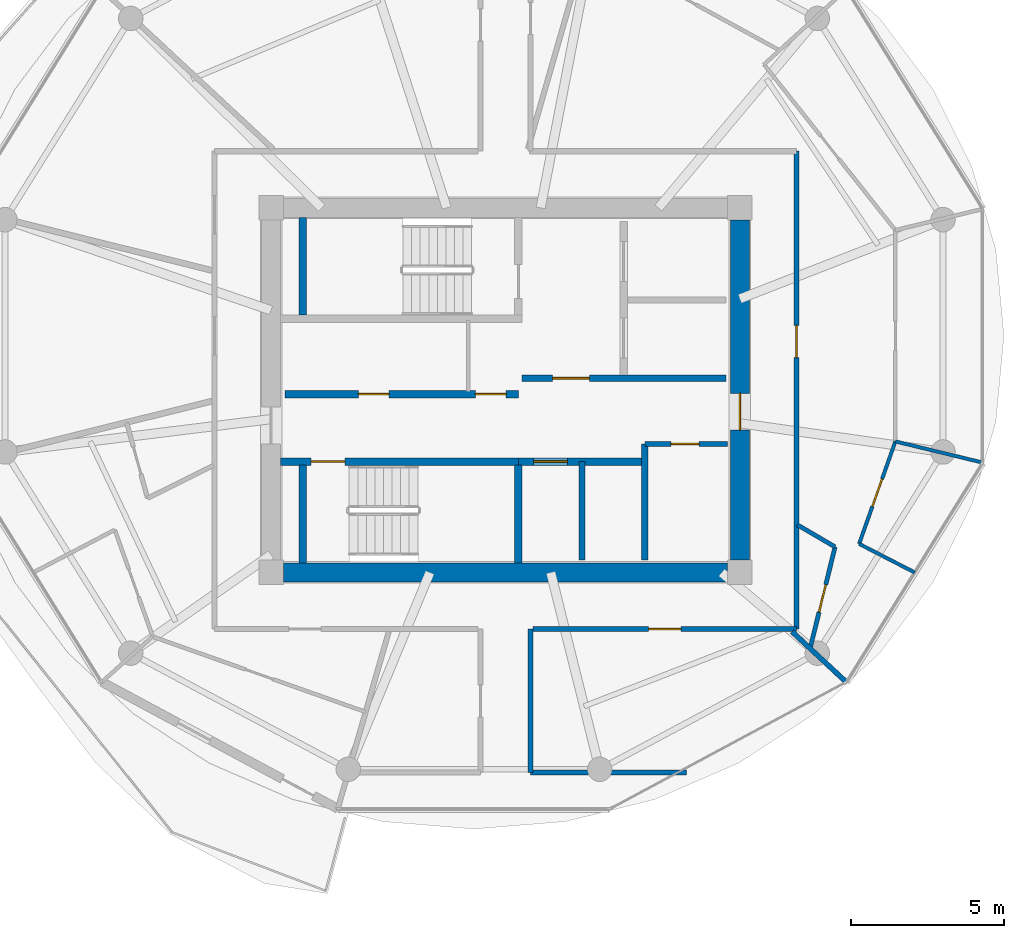
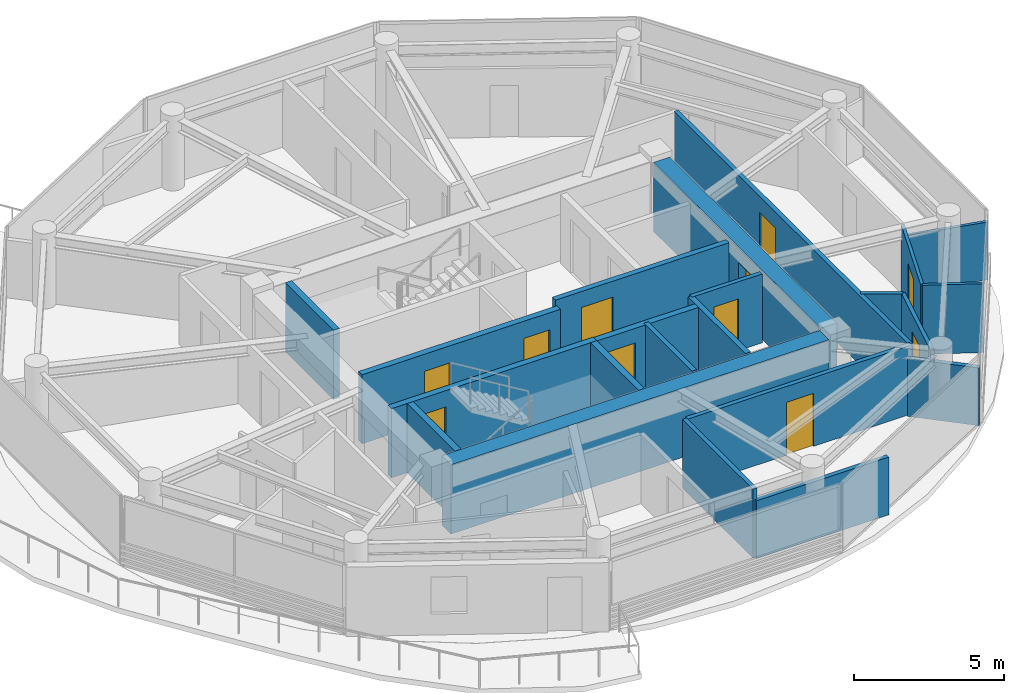
# One storey, part 16 of 22: 22 walls, 11 doors, 11 openings.
"""IFC4 building model written with IfcOpenShell, lengths in metres."""

from ifc_helpers import new_model, si_unit, direction, frame, frame_2d, origin, place, context, subcontext, project, spatial, rectangle, extrude, source, transform, mapped, material, layer, layer_set, type_object, type_shapes, element, fill, save


model = new_model("IFC4")

# Units and contexts
model_context = context("Model", 3, precision=1e-05, world=origin(), true_north=direction((0.0, 1.0)))
body_context = subcontext(model_context, "Body", "Model", "MODEL_VIEW")
ifc_project = project(units=[si_unit("LENGTHUNIT", "METRE"), si_unit("AREAUNIT", "SQUARE_METRE"), si_unit("VOLUMEUNIT", "CUBIC_METRE"), si_unit("PLANEANGLEUNIT", "RADIAN"), si_unit("MASSUNIT", "GRAM", prefix="KILO")], contexts=[model_context])

# Site, building, storey
site_placement = place(None, origin())
site = spatial("IfcSite", under=ifc_project, at=site_placement, CompositionType="ELEMENT")
building_placement = place(site_placement, origin())
building = spatial("IfcBuilding", under=site, at=building_placement, Name="Norrkilde Senior Care Towers", CompositionType="ELEMENT")
storey_placement = place(building_placement, frame((0.0, 0.0, 137.35009765625)))
storey = spatial("IfcBuildingStorey", under=building, at=storey_placement, Name="L42", CompositionType="ELEMENT", Elevation=137.35009765625)

# Wall
ifc_material_1 = material(Name="Concrete C50/60", Category="concrete")
ifc_layer_1 = layer(ifc_material_1, 0.6201171875)
ifc_layer_set_1 = layer_set([ifc_layer_1], Name="Concrete C50/60")
wall_type_1 = type_object("IfcWallType", Name="Core Shear Wall Z3 620", PredefinedType="SHEAR", material=ifc_layer_set_1)
shared_shape_1 = source(origin(), body_context, "Body", "SweptSolid", [
    extrude(rectangle(XDim=14.5, YDim=0.6201171875, at=frame_2d((7.25, 0.0))), origin(), (0.0, 0.0, 1.0), 2.809814453125),
])
wall_1_placement = place(storey_placement, frame((35.25, -5.949951171875, 0.0), z_axis=(0.0, 0.0, 1.0), x_axis=(-1.0, 0.0, 0.0)))
element("IfcWall", 1, at=wall_1_placement, inside=storey, type_object=wall_type_1, Name="L42 Core E South Shear Wall", PredefinedType="SHEAR", context=body_context, shape_type="MappedRepresentation", body=[
    mapped(shared_shape_1, transform((0.0, 0.0, 0.0), x_axis=(1.0, 0.0, 0.0), y_axis=(0.0, 1.0, 0.0), z_axis=(0.0, 0.0, 1.0), scale=1.0)),
])

# Wall, opening, door
shared_shape_2 = source(origin(), body_context, "Body", "SweptSolid", [
    extrude(rectangle(XDim=11.10009765625, YDim=0.6201171875, at=frame_2d((5.550048828125, 0.0))), origin(), (0.0, 0.0, 1.0), 2.809814453125),
])
type_shapes(wall_type_1, [shared_shape_1, shared_shape_2])
wall_2_placement = place(storey_placement, frame((35.64990234375, 5.550048828125, 0.0), z_axis=(0.0, 0.0, 1.0), x_axis=(0.0, -1.0, 0.0)))
wall_2 = element("IfcWall", 2, at=wall_2_placement, inside=storey, type_object=wall_type_1, Name="L42 Core E East Shear Wall", PredefinedType="SHEAR", context=body_context, shape_type="MappedRepresentation", body=[
    mapped(shared_shape_2, transform((0.0, 0.0, 0.0), x_axis=(1.0, 0.0, 0.0), y_axis=(0.0, 1.0, 0.0), z_axis=(0.0, 0.0, 1.0), scale=1.0)),
])
opening_1_placement = place(wall_2_placement, frame((5.64990234375, 0.0, 0.0)))
opening_1 = element("IfcOpeningElement", 3, at=opening_1_placement, cuts=wall_2, Name="Opening D-04", PredefinedType="OPENING", context=body_context, shape_type="SweptSolid", body=[
    extrude(rectangle(XDim=1.199951171875, YDim=2.14990234375, at=frame_2d((0.60009765625, 1.074951171875))), frame((0.0, 0.320068359375, 0.0), z_axis=(0.0, -1.0, 0.0), x_axis=(1.0, 0.0, 0.0)), (0.0, 0.0, 1.0), 0.64013671875),
])
ifc_material_2 = material(Name="Galvanised Painted Steel", Category="steel")
door_type_1 = type_object("IfcDoorType", Name="Firefighting Lobby Fire Door 1200x2150", OperationType="NOTDEFINED", PredefinedType="DOOR", material=ifc_material_2)
shared_shape_3 = source(origin(), body_context, "Body", "SweptSolid", [
    extrude(rectangle(XDim=1.199951171875, YDim=2.14990234375, at=frame_2d((0.60009765625, 1.074951171875))), frame((0.0, 0.02490234375, 0.0), z_axis=(0.0, -1.0, 0.0), x_axis=(1.0, 0.0, 0.0)), (0.0, 0.0, 1.0), 0.050048828125),
])
type_shapes(door_type_1, [shared_shape_3])
door_1_placement = place(opening_1_placement, frame((1.199951171875, 0.0, 0.0), z_axis=(0.0, 0.0, 1.0), x_axis=(-1.0, 0.0, 0.0)))
door_1 = element("IfcDoor", 4, at=door_1_placement, inside=storey, type_object=door_type_1, Name="L42 Core E East Portal Door", OperationType="SINGLE_SWING_RIGHT", OverallHeight=2.14990234375, OverallWidth=1.199951171875, PredefinedType="DOOR", context=body_context, shape_type="MappedRepresentation", body=[
    mapped(shared_shape_3, transform((0.0, 0.0, 0.0), x_axis=(1.0, 0.0, 0.0), y_axis=(0.0, 1.0, 0.0), z_axis=(0.0, 0.0, 1.0), scale=1.0)),
])
fill(opening_1, door_1)

ifc_material_3 = material(Name="Concrete C45/55", Category="concrete")
ifc_layer_2 = layer(ifc_material_3, 0.2099609375)
ifc_layer_set_2 = layer_set([ifc_layer_2], Name="Concrete C45/55")
wall_type_2 = type_object("IfcWallType", Name="Firefighting Lobby Wall 210", PredefinedType="PARTITIONING", material=ifc_layer_set_2)
shared_shape_4 = source(origin(), body_context, "Body", "SweptSolid", [
    extrude(rectangle(XDim=6.659912109375, YDim=0.2099609375, at=frame_2d((3.330078125, 0.0))), origin(), (0.0, 0.0, 1.0), 2.794921875),
])
type_shapes(wall_type_2, [shared_shape_4])
wall_3_placement = place(storey_placement, frame((28.5400390625, 0.389892578125, 0.0), z_axis=(0.0, 0.0, 1.0), x_axis=(1.0, 0.0, 0.0)))
wall_3 = element("IfcWall", 5, at=wall_3_placement, inside=storey, type_object=wall_type_2, Name="WL-INT-L42-E-FFLS", PredefinedType="PARTITIONING", context=body_context, shape_type="MappedRepresentation", body=[
    mapped(shared_shape_4, transform((0.0, 0.0, 0.0), x_axis=(1.0, 0.0, 0.0), y_axis=(0.0, 1.0, 0.0), z_axis=(0.0, 0.0, 1.0), scale=1.0)),
])
opening_2_placement = place(wall_3_placement, frame((1.0, 0.0, 0.0)))
opening_2 = element("IfcOpeningElement", 6, at=opening_2_placement, cuts=wall_3, Name="Opening D-04", PredefinedType="OPENING", context=body_context, shape_type="SweptSolid", body=[
    extrude(rectangle(XDim=1.199951171875, YDim=2.14990234375, at=frame_2d((0.60009765625, 1.074951171875))), frame((0.0, 0.114990234375, 0.0), z_axis=(0.0, -1.0, 0.0), x_axis=(1.0, 0.0, 0.0)), (0.0, 0.0, 1.0), 0.22998046875),
])
door_2_placement = place(opening_2_placement, frame((1.199951171875, 0.0, 0.0), z_axis=(0.0, 0.0, 1.0), x_axis=(-1.0, 0.0, 0.0)))
door_2 = element("IfcDoor", 7, at=door_2_placement, inside=storey, type_object=door_type_1, Name="L42 Firefighting Lobby E Door", OperationType="SINGLE_SWING_LEFT", OverallHeight=2.14990234375, OverallWidth=1.199951171875, PredefinedType="DOOR", context=body_context, shape_type="MappedRepresentation", body=[
    mapped(shared_shape_3, transform((0.0, 0.0, 0.0), x_axis=(1.0, 0.0, 0.0), y_axis=(0.0, 1.0, 0.0), z_axis=(0.0, 0.0, 1.0), scale=1.0)),
])
fill(opening_2, door_2)

# Wall, openings, doors
ifc_layer_3 = layer(ifc_material_3, 0.239990234375)
ifc_layer_set_3 = layer_set([ifc_layer_3], Name="Concrete C45/55")
wall_type_3 = type_object("IfcWallType", Name="Lift and Plant Rated Enclosure Partition 240", PredefinedType="PARTITIONING", material=ifc_layer_set_3)
shared_shape_5 = source(origin(), body_context, "Body", "SweptSolid", [
    extrude(rectangle(XDim=7.619873046875, YDim=0.239990234375, at=frame_2d((3.81005859375, 0.0))), origin(), (0.0, 0.0, 1.0), 2.794921875),
])
wall_4_placement = place(storey_placement, frame((20.800048828125, -0.1298828125, 0.0), z_axis=(0.0, 0.0, 1.0), x_axis=(1.0, 0.0, 0.0)))
wall_4 = element("IfcWall", 8, at=wall_4_placement, inside=storey, type_object=wall_type_3, Name="WL-INT-L42-E-PKAS", PredefinedType="PARTITIONING", context=body_context, shape_type="MappedRepresentation", body=[
    mapped(shared_shape_5, transform((0.0, 0.0, 0.0), x_axis=(1.0, 0.0, 0.0), y_axis=(0.0, 1.0, 0.0), z_axis=(0.0, 0.0, 1.0), scale=1.0)),
])
opening_3_placement = place(wall_4_placement, frame((6.219970703125, 0.0, 0.0)))
opening_3 = element("IfcOpeningElement", 9, at=opening_3_placement, cuts=wall_4, Name="Opening D-10", PredefinedType="OPENING", context=body_context, shape_type="SweptSolid", body=[
    extrude(rectangle(XDim=1.0, YDim=2.10009765625, at=frame_2d((0.5, 1.050048828125))), frame((0.0, 0.1298828125, 0.0), z_axis=(0.0, -1.0, 0.0), x_axis=(1.0, 0.0, 0.0)), (0.0, 0.0, 1.0), 0.260009765625),
])
opening_4_placement = place(wall_4_placement, frame((2.39990234375, 0.0, 0.0)))
opening_4 = element("IfcOpeningElement", 10, at=opening_4_placement, cuts=wall_4, Name="Opening D-10", PredefinedType="OPENING", context=body_context, shape_type="SweptSolid", body=[
    extrude(rectangle(XDim=1.0, YDim=2.10009765625, at=frame_2d((0.5, 1.050048828125))), frame((0.0, 0.1298828125, 0.0), z_axis=(0.0, -1.0, 0.0), x_axis=(1.0, 0.0, 0.0)), (0.0, 0.0, 1.0), 0.260009765625),
])
door_type_2 = type_object("IfcDoorType", Name="Plant and Riser Rated Door 1000x2100", OperationType="NOTDEFINED", PredefinedType="DOOR", material=ifc_material_2)
shared_shape_6 = source(origin(), body_context, "Body", "SweptSolid", [
    extrude(rectangle(XDim=1.0, YDim=2.10009765625, at=frame_2d((0.5, 1.050048828125))), frame((0.0, 0.02490234375, 0.0), z_axis=(0.0, -1.0, 0.0), x_axis=(1.0, 0.0, 0.0)), (0.0, 0.0, 1.0), 0.050048828125),
])
type_shapes(door_type_2, [shared_shape_6])
door_3_placement = place(opening_3_placement, frame((1.0, 0.0, 0.0), z_axis=(0.0, 0.0, 1.0), x_axis=(-1.0, 0.0, 0.0)))
door_3 = element("IfcDoor", 11, at=door_3_placement, inside=storey, type_object=door_type_2, Name="L42 Electrical Riser E Door", OperationType="SINGLE_SWING_LEFT", OverallHeight=2.10009765625, OverallWidth=1.0, PredefinedType="DOOR", context=body_context, shape_type="MappedRepresentation", body=[
    mapped(shared_shape_6, transform((0.0, 0.0, 0.0), x_axis=(1.0, 0.0, 0.0), y_axis=(0.0, 1.0, 0.0), z_axis=(0.0, 0.0, 1.0), scale=1.0)),
])
fill(opening_3, door_3)
door_4_placement = place(opening_4_placement, frame((1.0, 0.0, 0.0), z_axis=(0.0, 0.0, 1.0), x_axis=(-1.0, 0.0, 0.0)))
door_4 = element("IfcDoor", 12, at=door_4_placement, inside=storey, type_object=door_type_2, Name="L42 Clean Supply Store E Door", OperationType="SINGLE_SWING_LEFT", OverallHeight=2.10009765625, OverallWidth=1.0, PredefinedType="DOOR", context=body_context, shape_type="MappedRepresentation", body=[
    mapped(shared_shape_6, transform((0.0, 0.0, 0.0), x_axis=(1.0, 0.0, 0.0), y_axis=(0.0, 1.0, 0.0), z_axis=(0.0, 0.0, 1.0), scale=1.0)),
])
fill(opening_4, door_4)

# Wall
ifc_layer_4 = layer(ifc_material_3, 0.199951171875)
ifc_layer_set_4 = layer_set([ifc_layer_4], Name="Concrete C45/55")
wall_type_4 = type_object("IfcWallType", Name="Shaft Division and Plant Partition 200", PredefinedType="PARTITIONING", material=ifc_layer_set_4)
shared_shape_7 = source(origin(), body_context, "Body", "SweptSolid", [
    extrude(rectangle(XDim=3.800048828125, YDim=0.199951171875, at=frame_2d((1.89990234375, 0.0))), origin(), (0.0, 0.0, 1.0), 2.794921875),
])
type_shapes(wall_type_4, [shared_shape_7])
wall_5_placement = place(storey_placement, frame((32.550048828125, -5.550048828125, 0.0), z_axis=(0.0, 0.0, 1.0), x_axis=(0.0, 1.0, 0.0)))
element("IfcWall", 13, at=wall_5_placement, inside=storey, type_object=wall_type_4, Name="WL-INT-L42-E-PKBE", PredefinedType="PARTITIONING", context=body_context, shape_type="MappedRepresentation", body=[
    mapped(shared_shape_7, transform((0.0, 0.0, 0.0), x_axis=(1.0, 0.0, 0.0), y_axis=(0.0, 1.0, 0.0), z_axis=(0.0, 0.0, 1.0), scale=1.0)),
])

# Wall, opening, door
shared_shape_8 = source(origin(), body_context, "Body", "SweptSolid", [
    extrude(rectangle(XDim=4.130126953125, YDim=0.239990234375, at=frame_2d((2.06494140625, 0.0))), origin(), (0.0, 0.0, 1.0), 2.794921875),
])
type_shapes(wall_type_3, [shared_shape_5, shared_shape_8])
wall_6_placement = place(storey_placement, frame((28.419921875, -2.330078125, 0.0), z_axis=(0.0, 0.0, 1.0), x_axis=(1.0, 0.0, 0.0)))
wall_6 = element("IfcWall", 14, at=wall_6_placement, inside=storey, type_object=wall_type_3, Name="WL-INT-L42-E-PKBN", PredefinedType="PARTITIONING", context=body_context, shape_type="MappedRepresentation", body=[
    mapped(shared_shape_8, transform((0.0, 0.0, 0.0), x_axis=(1.0, 0.0, 0.0), y_axis=(0.0, 1.0, 0.0), z_axis=(0.0, 0.0, 1.0), scale=1.0)),
])
opening_5_placement = place(wall_6_placement, frame((0.5, 0.0, 0.0)))
opening_5 = element("IfcOpeningElement", 15, at=opening_5_placement, cuts=wall_6, Name="Opening LD-01", PredefinedType="OPENING", context=body_context, shape_type="SweptSolid", body=[
    extrude(rectangle(XDim=1.10009765625, YDim=2.199951171875, at=frame_2d((0.550048828125, 1.10009765625))), frame((0.0, 0.1298828125, 0.0), z_axis=(0.0, -1.0, 0.0), x_axis=(1.0, 0.0, 0.0)), (0.0, 0.0, 1.0), 0.260009765625),
])
ifc_material_4 = material(Name="Stainless Steel", Category="steel")
door_type_3 = type_object("IfcDoorType", Name="Lift Landing Sliding Door 1100x2200", OperationType="NOTDEFINED", PredefinedType="DOOR", material=ifc_material_4)
shared_shape_9 = source(origin(), body_context, "Body", "SweptSolid", [
    extrude(rectangle(XDim=1.10009765625, YDim=2.199951171875, at=frame_2d((0.550048828125, 1.10009765625))), frame((0.0, 0.02490234375, 0.0), z_axis=(0.0, -1.0, 0.0), x_axis=(1.0, 0.0, 0.0)), (0.0, 0.0, 1.0), 0.050048828125),
])
type_shapes(door_type_3, [shared_shape_9])
door_5_placement = place(opening_5_placement, frame((1.10009765625, 0.0, 0.0), z_axis=(0.0, 0.0, 1.0), x_axis=(-1.0, 0.0, 0.0)))
door_5 = element("IfcDoor", 16, at=door_5_placement, inside=storey, type_object=door_type_3, Name="L42 Passenger Lift E3 Landing Door", OperationType="SLIDING_TO_LEFT", OverallHeight=2.199951171875, OverallWidth=1.10009765625, PredefinedType="DOOR", context=body_context, shape_type="MappedRepresentation", body=[
    mapped(shared_shape_9, transform((0.0, 0.0, 0.0), x_axis=(1.0, 0.0, 0.0), y_axis=(0.0, 1.0, 0.0), z_axis=(0.0, 0.0, 1.0), scale=1.0)),
])
fill(opening_5, door_5)

# Wall
ifc_layer_5 = layer(ifc_material_3, 0.179931640625)
ifc_layer_set_5 = layer_set([ifc_layer_5], Name="Concrete C45/55")
wall_type_5 = type_object("IfcWallType", Name="Hoistway Division Rated Partition 180", PredefinedType="PARTITIONING", material=ifc_layer_set_5)
shared_shape_10 = source(origin(), body_context, "Body", "SweptSolid", [
    extrude(rectangle(XDim=3.219970703125, YDim=0.179931640625, at=frame_2d((1.60986328125, 0.0))), origin(), (0.0, 0.0, 1.0), 2.794921875),
])
type_shapes(wall_type_5, [shared_shape_10])
wall_7_placement = place(storey_placement, frame((30.5, -5.550048828125, 0.0), z_axis=(0.0, 0.0, 1.0), x_axis=(0.0, 1.0, 0.0)))
element("IfcWall", 17, at=wall_7_placement, inside=storey, type_object=wall_type_5, Name="WL-INT-L42-E-PL34", PredefinedType="PARTITIONING", context=body_context, shape_type="MappedRepresentation", body=[
    mapped(shared_shape_10, transform((0.0, 0.0, 0.0), x_axis=(1.0, 0.0, 0.0), y_axis=(0.0, 1.0, 0.0), z_axis=(0.0, 0.0, 1.0), scale=1.0)),
])

# Wall, opening, door
ifc_material_5 = material(Name="Gypsum Acoustic Board")
ifc_layer_6 = layer(ifc_material_5, 0.1650390625)
ifc_layer_set_6 = layer_set([ifc_layer_6], Name="Gypsum Acoustic Board")
wall_type_6 = type_object("IfcWallType", Name="Corridor Rated Partition 165", PredefinedType="PARTITIONING", material=ifc_layer_set_6)
shared_shape_11 = source(origin(), body_context, "Body", "SweptSolid", [
    extrude(rectangle(XDim=2.699951171875, YDim=0.1650390625, at=frame_2d((1.35009765625, 0.0))), origin(), (0.0, 0.0, 1.0), 2.794921875),
])
wall_8_placement = place(storey_placement, frame((32.550048828125, -1.75, 0.0), z_axis=(0.0, 0.0, 1.0), x_axis=(1.0, 0.0, 0.0)))
wall_8 = element("IfcWall", 18, at=wall_8_placement, inside=storey, type_object=wall_type_6, Name="WL-INT-L42-E-CSN", PredefinedType="PARTITIONING", context=body_context, shape_type="MappedRepresentation", body=[
    mapped(shared_shape_11, transform((0.0, 0.0, 0.0), x_axis=(1.0, 0.0, 0.0), y_axis=(0.0, 1.0, 0.0), z_axis=(0.0, 0.0, 1.0), scale=1.0)),
])
opening_6_placement = place(wall_8_placement, frame((0.85009765625, 0.0, 0.0)))
opening_6 = element("IfcOpeningElement", 19, at=opening_6_placement, cuts=wall_8, Name="Opening D-12", PredefinedType="OPENING", context=body_context, shape_type="SweptSolid", body=[
    extrude(rectangle(XDim=0.925048828125, YDim=2.10009765625, at=frame_2d((0.46240234375, 1.050048828125))), frame((0.0, 0.092529296875, 0.0), z_axis=(0.0, -1.0, 0.0), x_axis=(1.0, 0.0, 0.0)), (0.0, 0.0, 1.0), 0.18505859375),
])
door_type_4 = type_object("IfcDoorType", Name="Core Wet Room Rated Door 925x2100", OperationType="NOTDEFINED", PredefinedType="DOOR", material=ifc_material_2)
shared_shape_12 = source(origin(), body_context, "Body", "SweptSolid", [
    extrude(rectangle(XDim=0.925048828125, YDim=2.10009765625, at=frame_2d((0.46240234375, 1.050048828125))), frame((0.0, 0.02490234375, 0.0), z_axis=(0.0, -1.0, 0.0), x_axis=(1.0, 0.0, 0.0)), (0.0, 0.0, 1.0), 0.050048828125),
])
type_shapes(door_type_4, [shared_shape_12])
door_6_placement = place(opening_6_placement, origin())
door_6 = element("IfcDoor", 20, at=door_6_placement, inside=storey, type_object=door_type_4, Name="L42 Core Utility E Door", OperationType="SINGLE_SWING_LEFT", OverallHeight=2.10009765625, OverallWidth=0.925048828125, PredefinedType="DOOR", context=body_context, shape_type="MappedRepresentation", body=[
    mapped(shared_shape_12, transform((0.0, 0.0, 0.0), x_axis=(1.0, 0.0, 0.0), y_axis=(0.0, 1.0, 0.0), z_axis=(0.0, 0.0, 1.0), scale=1.0)),
])
fill(opening_6, door_6)

shared_shape_13 = source(origin(), body_context, "Body", "SweptSolid", [
    extrude(rectangle(XDim=8.60009765625, YDim=0.1650390625, at=frame_2d((4.300048828125, 0.0))), origin(), (0.0, 0.0, 1.0), 2.794921875),
])
wall_9_placement = place(storey_placement, frame((37.5, -7.800048828125, 0.0), z_axis=(0.0, 0.0, 1.0), x_axis=(-1.0, 0.0, 0.0)))
wall_9 = element("IfcWall", 21, at=wall_9_placement, inside=storey, type_object=wall_type_6, Name="WL-INT-L42-E-CRW-S-0", PredefinedType="PARTITIONING", context=body_context, shape_type="MappedRepresentation", body=[
    mapped(shared_shape_13, transform((0.0, 0.0, 0.0), x_axis=(1.0, 0.0, 0.0), y_axis=(0.0, 1.0, 0.0), z_axis=(0.0, 0.0, 1.0), scale=1.0)),
])
opening_7_placement = place(wall_9_placement, frame((3.77490234375, 0.0, 0.0)))
opening_7 = element("IfcOpeningElement", 22, at=opening_7_placement, cuts=wall_9, Name="Opening D-06", PredefinedType="OPENING", context=body_context, shape_type="SweptSolid", body=[
    extrude(rectangle(XDim=1.050048828125, YDim=2.14990234375, at=frame_2d((0.52490234375, 1.074951171875))), frame((0.0, 0.092529296875, 0.0), z_axis=(0.0, -1.0, 0.0), x_axis=(1.0, 0.0, 0.0)), (0.0, 0.0, 1.0), 0.18505859375),
])
ifc_material_6 = material(Name="Nordic Ash Timber", Category="wood")
door_type_5 = type_object("IfcDoorType", Name="Apartment Entrance Fire Door 1050x2150", OperationType="NOTDEFINED", PredefinedType="DOOR", material=ifc_material_6)
shared_shape_14 = source(origin(), body_context, "Body", "SweptSolid", [
    extrude(rectangle(XDim=1.050048828125, YDim=2.14990234375, at=frame_2d((0.52490234375, 1.074951171875))), frame((0.0, 0.02490234375, 0.0), z_axis=(0.0, -1.0, 0.0), x_axis=(1.0, 0.0, 0.0)), (0.0, 0.0, 1.0), 0.050048828125),
])
type_shapes(door_type_5, [shared_shape_14])
door_7_placement = place(opening_7_placement, frame((1.050048828125, 0.0, 0.0), z_axis=(0.0, 0.0, 1.0), x_axis=(-1.0, 0.0, 0.0)))
door_7 = element("IfcDoor", 23, at=door_7_placement, inside=storey, type_object=door_type_5, Name="L42 Reading Lounge SEL Door", OperationType="SINGLE_SWING_RIGHT", OverallHeight=2.14990234375, OverallWidth=1.050048828125, PredefinedType="DOOR", context=body_context, shape_type="MappedRepresentation", body=[
    mapped(shared_shape_14, transform((0.0, 0.0, 0.0), x_axis=(1.0, 0.0, 0.0), y_axis=(0.0, 1.0, 0.0), z_axis=(0.0, 0.0, 1.0), scale=1.0)),
])
fill(opening_7, door_7)

shared_shape_15 = source(origin(), body_context, "Body", "SweptSolid", [
    extrude(rectangle(XDim=15.60009765625, YDim=0.1650390625, at=frame_2d((7.800048828125, 0.0))), origin(), (0.0, 0.0, 1.0), 2.794921875),
])
wall_10_placement = place(storey_placement, frame((37.5, 7.800048828125, 0.0), z_axis=(0.0, 0.0, 1.0), x_axis=(0.0, -1.0, 0.0)))
wall_10 = element("IfcWall", 24, at=wall_10_placement, inside=storey, type_object=wall_type_6, Name="WL-INT-L42-E-CRW-E-0", PredefinedType="PARTITIONING", context=body_context, shape_type="MappedRepresentation", body=[
    mapped(shared_shape_15, transform((0.0, 0.0, 0.0), x_axis=(1.0, 0.0, 0.0), y_axis=(0.0, 1.0, 0.0), z_axis=(0.0, 0.0, 1.0), scale=1.0)),
])
opening_8_placement = place(wall_10_placement, frame((5.6865234375, 0.0, 0.0)))
opening_8 = element("IfcOpeningElement", 25, at=opening_8_placement, cuts=wall_10, Name="Opening D-06", PredefinedType="OPENING", context=body_context, shape_type="SweptSolid", body=[
    extrude(rectangle(XDim=1.050048828125, YDim=2.14990234375, at=frame_2d((0.52490234375, 1.074951171875))), frame((0.0, 0.092529296875, 0.0), z_axis=(0.0, -1.0, 0.0), x_axis=(1.0, 0.0, 0.0)), (0.0, 0.0, 1.0), 0.18505859375),
])
door_8_placement = place(opening_8_placement, frame((1.050048828125, 0.0, 0.0), z_axis=(0.0, 0.0, 1.0), x_axis=(-1.0, 0.0, 0.0)))
door_8 = element("IfcDoor", 26, at=door_8_placement, inside=storey, type_object=door_type_5, Name="Apartment 42D Entrance Door", OperationType="SINGLE_SWING_LEFT", OverallHeight=2.14990234375, OverallWidth=1.050048828125, PredefinedType="DOOR", context=body_context, shape_type="MappedRepresentation", body=[
    mapped(shared_shape_14, transform((0.0, 0.0, 0.0), x_axis=(1.0, 0.0, 0.0), y_axis=(0.0, 1.0, 0.0), z_axis=(0.0, 0.0, 1.0), scale=1.0)),
])
fill(opening_8, door_8)

# Walls
shared_shape_16 = source(origin(), body_context, "Body", "SweptSolid", [
    extrude(rectangle(XDim=4.6845703125, YDim=0.1650390625, at=frame_2d((2.34228515625, 0.0))), origin(), (0.0, 0.0, 1.0), 2.794921875),
])
wall_11_placement = place(storey_placement, frame((28.820068359375, -12.484619140625, 0.0), z_axis=(0.0, 0.0, 1.0), x_axis=(0.0, 1.0, 0.0)))
element("IfcWall", 27, at=wall_11_placement, inside=storey, type_object=wall_type_6, Name="WL-INT-L42-E-PKW-SEL", PredefinedType="PARTITIONING", context=body_context, shape_type="MappedRepresentation", body=[
    mapped(shared_shape_16, transform((0.0, 0.0, 0.0), x_axis=(1.0, 0.0, 0.0), y_axis=(0.0, 1.0, 0.0), z_axis=(0.0, 0.0, 1.0), scale=1.0)),
])
shared_shape_17 = source(origin(), body_context, "Body", "SweptSolid", [
    extrude(rectangle(XDim=2.434814453125, YDim=0.1650390625, at=frame_2d((1.21728515625, 0.0))), origin(), (0.0, 0.0, 1.0), 2.344970703125),
])
wall_12_placement = place(storey_placement, frame((37.3544921875, -7.8798828125, 0.0), z_axis=(0.0, 0.0, 1.0), x_axis=(0.732164643118, -0.681127693878, 0.0)))
element("IfcWall", 28, at=wall_12_placement, inside=storey, type_object=wall_type_6, Name="WL-INT-L42-E-DEM-10-0", PredefinedType="PARTITIONING", context=body_context, shape_type="MappedRepresentation", body=[
    mapped(shared_shape_17, transform((0.0, 0.0, 0.0), x_axis=(1.0, 0.0, 0.0), y_axis=(0.0, 1.0, 0.0), z_axis=(0.0, 0.0, 1.0), scale=1.0)),
])
shared_shape_18 = source(origin(), body_context, "Body", "SweptSolid", [
    extrude(rectangle(XDim=5.089111328125, YDim=0.1650390625, at=frame_2d((2.54443359375, 0.0))), origin(), (0.0, 0.0, 1.0), 2.344970703125),
])
type_shapes(wall_type_6, [shared_shape_11, shared_shape_13, shared_shape_15, shared_shape_16, shared_shape_17, shared_shape_18])
wall_13_placement = place(storey_placement, frame((28.820068359375, -12.484619140625, 0.0), z_axis=(0.0, 0.0, 1.0), x_axis=(1.0, 0.0, 0.0)))
element("IfcWall", 29, at=wall_13_placement, inside=storey, type_object=wall_type_6, Name="WL-INT-L42-E-PKH-SEL-0", PredefinedType="PARTITIONING", context=body_context, shape_type="MappedRepresentation", body=[
    mapped(shared_shape_18, transform((0.0, 0.0, 0.0), x_axis=(1.0, 0.0, 0.0), y_axis=(0.0, 1.0, 0.0), z_axis=(0.0, 0.0, 1.0), scale=1.0)),
])
ifc_layer_7 = layer(ifc_material_5, 0.114990234375)
ifc_layer_set_7 = layer_set([ifc_layer_7], Name="Gypsum Acoustic Board")
wall_type_7 = type_object("IfcWallType", Name="Internal Room Partition 115", PredefinedType="PARTITIONING", material=ifc_layer_set_7)
shared_shape_19 = source(origin(), body_context, "Body", "SweptSolid", [
    extrude(rectangle(XDim=2.941162109375, YDim=0.114990234375, at=frame_2d((1.470703125, 0.0))), origin(), (0.0, 0.0, 1.0), 2.344970703125),
])
wall_14_placement = place(storey_placement, frame((40.73046875, -1.673095703125, 0.0), z_axis=(0.0, 0.0, 1.0), x_axis=(0.971874866371, -0.235497864357, 0.0)))
element("IfcWall", 30, at=wall_14_placement, inside=storey, type_object=wall_type_7, Name="WL-INT-L42-E-UBR-10-1", PredefinedType="PARTITIONING", context=body_context, shape_type="MappedRepresentation", body=[
    mapped(shared_shape_19, transform((0.0, 0.0, 0.0), x_axis=(1.0, 0.0, 0.0), y_axis=(0.0, 1.0, 0.0), z_axis=(0.0, 0.0, 1.0), scale=1.0)),
])
ifc_layer_8 = layer(ifc_material_5, 0.139892578125)
ifc_layer_set_8 = layer_set([ifc_layer_8], Name="Gypsum Acoustic Board")
wall_type_8 = type_object("IfcWallType", Name="En-suite Wet Room Wall 140", PredefinedType="PARTITIONING", material=ifc_layer_set_8)
shared_shape_20 = source(origin(), body_context, "Body", "SweptSolid", [
    extrude(rectangle(XDim=1.4248046875, YDim=0.139892578125, at=frame_2d((0.71240234375, 0.0))), origin(), (0.0, 0.0, 1.0), 2.794921875),
])
wall_15_placement = place(storey_placement, frame((37.530029296875, -4.3955078125, 0.0), z_axis=(0.0, 0.0, 1.0), x_axis=(0.86324395577, -0.50478695786, 0.0)))
element("IfcWall", 31, at=wall_15_placement, inside=storey, type_object=wall_type_8, Name="WL-INT-L42-E-UBTS-10", PredefinedType="PARTITIONING", context=body_context, shape_type="MappedRepresentation", body=[
    mapped(shared_shape_20, transform((0.0, 0.0, 0.0), x_axis=(1.0, 0.0, 0.0), y_axis=(0.0, 1.0, 0.0), z_axis=(0.0, 0.0, 1.0), scale=1.0)),
])

# Wall, opening, door
shared_shape_21 = source(origin(), body_context, "Body", "SweptSolid", [
    extrude(rectangle(XDim=3.46435546875, YDim=0.139892578125, at=frame_2d((1.732177734375, 0.0))), origin(), (0.0, 0.0, 1.0), 2.794921875),
])
type_shapes(wall_type_8, [shared_shape_20, shared_shape_21])
wall_16_placement = place(storey_placement, frame((38.760009765625, -5.11474609375, 0.0), z_axis=(0.0, 0.0, 1.0), x_axis=(-0.238055968485, -0.971251438027, 0.0)))
wall_16 = element("IfcWall", 32, at=wall_16_placement, inside=storey, type_object=wall_type_8, Name="WL-INT-L42-E-UBTF-10", PredefinedType="PARTITIONING", context=body_context, shape_type="MappedRepresentation", body=[
    mapped(shared_shape_21, transform((0.0, 0.0, 0.0), x_axis=(1.0, 0.0, 0.0), y_axis=(0.0, 1.0, 0.0), z_axis=(0.0, 0.0, 1.0), scale=1.0)),
])
opening_9_placement = place(wall_16_placement, frame((1.272216796875, 0.0, 0.0)))
opening_9 = element("IfcOpeningElement", 33, at=opening_9_placement, cuts=wall_16, Name="Opening D-08", PredefinedType="OPENING", context=body_context, shape_type="SweptSolid", body=[
    extrude(rectangle(XDim=0.919921875, YDim=2.10009765625, at=frame_2d((0.4599609375, 1.050048828125))), frame((0.0, 0.079833984375, 0.0), z_axis=(0.0, -1.0, 0.0), x_axis=(1.0, 0.0, 0.0)), (0.0, 0.0, 1.0), 0.159912109375),
])
door_type_6 = type_object("IfcDoorType", Name="Accessible Wet Room Door 920x2100", OperationType="NOTDEFINED", PredefinedType="DOOR", material=ifc_material_6)
shared_shape_22 = source(origin(), body_context, "Body", "SweptSolid", [
    extrude(rectangle(XDim=0.919921875, YDim=2.10009765625, at=frame_2d((0.4599609375, 1.050048828125))), frame((0.0, 0.02490234375, 0.0), z_axis=(0.0, -1.0, 0.0), x_axis=(1.0, 0.0, 0.0)), (0.0, 0.0, 1.0), 0.050048828125),
])
type_shapes(door_type_6, [shared_shape_22])
door_9_placement = place(opening_9_placement, origin())
door_9 = element("IfcDoor", 34, at=door_9_placement, inside=storey, type_object=door_type_6, Name="Apartment 42D Bathroom Door", OperationType="SINGLE_SWING_RIGHT", OverallHeight=2.10009765625, OverallWidth=0.919921875, PredefinedType="DOOR", context=body_context, shape_type="MappedRepresentation", body=[
    mapped(shared_shape_22, transform((0.0, 0.0, 0.0), x_axis=(1.0, 0.0, 0.0), y_axis=(0.0, 1.0, 0.0), z_axis=(0.0, 0.0, 1.0), scale=1.0)),
])
fill(opening_9, door_9)

# Wall
shared_shape_23 = source(origin(), body_context, "Body", "SweptSolid", [
    extrude(rectangle(XDim=2.04345703125, YDim=0.114990234375, at=frame_2d((1.021728515625, 0.0))), origin(), (0.0, 0.0, 1.0), 2.794921875),
])
wall_17_placement = place(storey_placement, frame((39.546875, -5.015625, 0.0), z_axis=(0.0, 0.0, 1.0), x_axis=(0.888790240023, -0.45831420362, 0.0)))
element("IfcWall", 35, at=wall_17_placement, inside=storey, type_object=wall_type_7, Name="WL-INT-L42-E-UKTS-10", PredefinedType="PARTITIONING", context=body_context, shape_type="MappedRepresentation", body=[
    mapped(shared_shape_23, transform((0.0, 0.0, 0.0), x_axis=(1.0, 0.0, 0.0), y_axis=(0.0, 1.0, 0.0), z_axis=(0.0, 0.0, 1.0), scale=1.0)),
])

# Wall, opening, door
shared_shape_24 = source(origin(), body_context, "Body", "SweptSolid", [
    extrude(rectangle(XDim=3.545654296875, YDim=0.114990234375, at=frame_2d((1.77294921875, 0.0))), origin(), (0.0, 0.0, 1.0), 2.794921875),
])
type_shapes(wall_type_7, [shared_shape_19, shared_shape_23, shared_shape_24])
wall_18_placement = place(storey_placement, frame((39.546875, -5.015625, 0.0), z_axis=(0.0, 0.0, 1.0), x_axis=(0.333403534043, 0.942784218943, 0.0)))
wall_18 = element("IfcWall", 36, at=wall_18_placement, inside=storey, type_object=wall_type_7, Name="WL-INT-L42-E-UKTF-10", PredefinedType="PARTITIONING", context=body_context, shape_type="MappedRepresentation", body=[
    mapped(shared_shape_24, transform((0.0, 0.0, 0.0), x_axis=(1.0, 0.0, 0.0), y_axis=(0.0, 1.0, 0.0), z_axis=(0.0, 0.0, 1.0), scale=1.0)),
])
opening_10_placement = place(wall_18_placement, frame((1.2978515625, 0.0, 0.0)))
opening_10 = element("IfcOpeningElement", 37, at=opening_10_placement, cuts=wall_18, Name="Opening D-07", PredefinedType="OPENING", context=body_context, shape_type="SweptSolid", body=[
    extrude(rectangle(XDim=0.949951171875, YDim=2.10009765625, at=frame_2d((0.47509765625, 1.050048828125))), frame((0.0, 0.0673828125, 0.0), z_axis=(0.0, -1.0, 0.0), x_axis=(1.0, 0.0, 0.0)), (0.0, 0.0, 1.0), 0.135009765625),
])
door_type_7 = type_object("IfcDoorType", Name="Internal Suite Bedroom Door 950x2100", OperationType="NOTDEFINED", PredefinedType="DOOR", material=ifc_material_6)
shared_shape_25 = source(origin(), body_context, "Body", "SweptSolid", [
    extrude(rectangle(XDim=0.949951171875, YDim=2.10009765625, at=frame_2d((0.47509765625, 1.050048828125))), frame((0.0, 0.02490234375, 0.0), z_axis=(0.0, -1.0, 0.0), x_axis=(1.0, 0.0, 0.0)), (0.0, 0.0, 1.0), 0.050048828125),
])
type_shapes(door_type_7, [shared_shape_25])
door_10_placement = place(opening_10_placement, frame((0.949951171875, 0.0, 0.0), z_axis=(0.0, 0.0, 1.0), x_axis=(-1.0, 0.0, 0.0)))
door_10 = element("IfcDoor", 38, at=door_10_placement, inside=storey, type_object=door_type_7, Name="Apartment 42D Kitchen Door", OperationType="SINGLE_SWING_LEFT", OverallHeight=2.10009765625, OverallWidth=0.949951171875, PredefinedType="DOOR", context=body_context, shape_type="MappedRepresentation", body=[
    mapped(shared_shape_25, transform((0.0, 0.0, 0.0), x_axis=(1.0, 0.0, 0.0), y_axis=(0.0, 1.0, 0.0), z_axis=(0.0, 0.0, 1.0), scale=1.0)),
])
fill(opening_10, door_10)

ifc_layer_9 = layer(ifc_material_3, 0.239990234375)
ifc_layer_set_9 = layer_set([ifc_layer_9], Name="Concrete C45/55")
wall_type_9 = type_object("IfcWallType", Name="Shaft and Stair Enclosure Wall 240", PredefinedType="PARTITIONING", material=ifc_layer_set_9)
shared_shape_26 = source(origin(), body_context, "Body", "SweptSolid", [
    extrude(rectangle(XDim=7.880126953125, YDim=0.239990234375, at=frame_2d((3.93994140625, 0.0))), origin(), (0.0, 0.0, 1.0), 2.809814453125),
])
wall_19_placement = place(storey_placement, frame((20.659912109375, -2.330078125, 0.0), z_axis=(0.0, 0.0, 1.0), x_axis=(1.0, 0.0, 0.0)))
wall_19 = element("IfcWall", 39, at=wall_19_placement, inside=storey, type_object=wall_type_9, Name="WL-INT-L42-E-ST2N", PredefinedType="PARTITIONING", context=body_context, shape_type="MappedRepresentation", body=[
    mapped(shared_shape_26, transform((0.0, 0.0, 0.0), x_axis=(1.0, 0.0, 0.0), y_axis=(0.0, 1.0, 0.0), z_axis=(0.0, 0.0, 1.0), scale=1.0)),
])
opening_11_placement = place(wall_19_placement, frame((1.0, 0.0, 0.0)))
opening_11 = element("IfcOpeningElement", 40, at=opening_11_placement, cuts=wall_19, Name="Opening D-03", PredefinedType="OPENING", context=body_context, shape_type="SweptSolid", body=[
    extrude(rectangle(XDim=1.10009765625, YDim=2.14990234375, at=frame_2d((0.550048828125, 1.074951171875))), frame((0.0, 0.1298828125, 0.0), z_axis=(0.0, -1.0, 0.0), x_axis=(1.0, 0.0, 0.0)), (0.0, 0.0, 1.0), 0.260009765625),
])
door_type_8 = type_object("IfcDoorType", Name="Stairwell Protected Fire Door 1100x2150", OperationType="NOTDEFINED", PredefinedType="DOOR", material=ifc_material_2)
shared_shape_27 = source(origin(), body_context, "Body", "SweptSolid", [
    extrude(rectangle(XDim=1.10009765625, YDim=2.14990234375, at=frame_2d((0.550048828125, 1.074951171875))), frame((0.0, 0.02490234375, 0.0), z_axis=(0.0, -1.0, 0.0), x_axis=(1.0, 0.0, 0.0)), (0.0, 0.0, 1.0), 0.050048828125),
])
type_shapes(door_type_8, [shared_shape_27])
door_11_placement = place(opening_11_placement, frame((1.10009765625, 0.0, 0.0), z_axis=(0.0, 0.0, 1.0), x_axis=(-1.0, 0.0, 0.0)))
door_11 = element("IfcDoor", 41, at=door_11_placement, inside=storey, type_object=door_type_8, Name="L42 Stair E2 Fire Door", OperationType="SINGLE_SWING_RIGHT", OverallHeight=2.14990234375, OverallWidth=1.10009765625, PredefinedType="DOOR", context=body_context, shape_type="MappedRepresentation", body=[
    mapped(shared_shape_27, transform((0.0, 0.0, 0.0), x_axis=(1.0, 0.0, 0.0), y_axis=(0.0, 1.0, 0.0), z_axis=(0.0, 0.0, 1.0), scale=1.0)),
])
fill(opening_11, door_11)

# Walls
shared_shape_28 = source(origin(), body_context, "Body", "SweptSolid", [
    extrude(rectangle(XDim=3.18994140625, YDim=0.239990234375, at=frame_2d((1.594970703125, 0.0))), origin(), (0.0, 0.0, 1.0), 2.809814453125),
])
type_shapes(wall_type_9, [shared_shape_26, shared_shape_28])
for number, where, z_axis, x_axis, name in (
    (42, (21.3798828125, 2.449951171875, 0.0), (0.0, 0.0, 1.0), (0.0, 1.0, 0.0), "WL-INT-L42-E-ST1W"),
    (43, (21.3798828125, -5.639892578125, 0.0), (0.0, 0.0, 1.0), (0.0, 1.0, 0.0), "WL-INT-L42-E-ST2W"),
    (44, (28.419921875, -5.639892578125, 0.0), (0.0, 0.0, 1.0), (0.0, 1.0, 0.0), "WL-INT-L42-E-ST2E"),
):
    element("IfcWall", number, at=place(storey_placement, frame(where, z_axis=z_axis, x_axis=x_axis)), inside=storey, type_object=wall_type_9, Name=name, PredefinedType="PARTITIONING", context=body_context, shape_type="MappedRepresentation", body=[
        mapped(shared_shape_28, transform((0.0, 0.0, 0.0), x_axis=(1.0, 0.0, 0.0), y_axis=(0.0, 1.0, 0.0), z_axis=(0.0, 0.0, 1.0), scale=1.0)),
    ])

save(model, "model.ifc")
